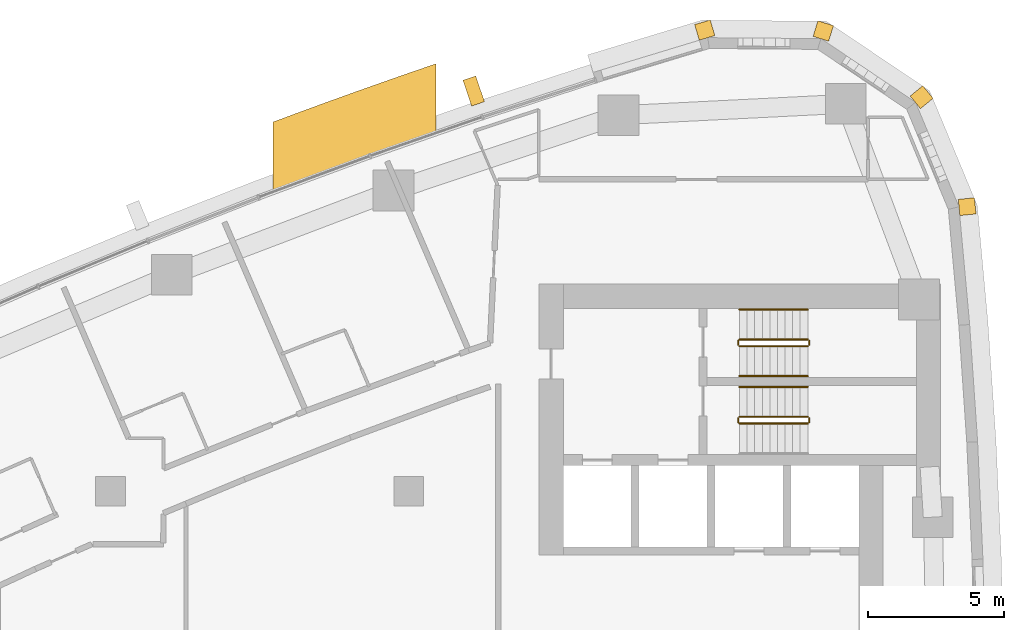
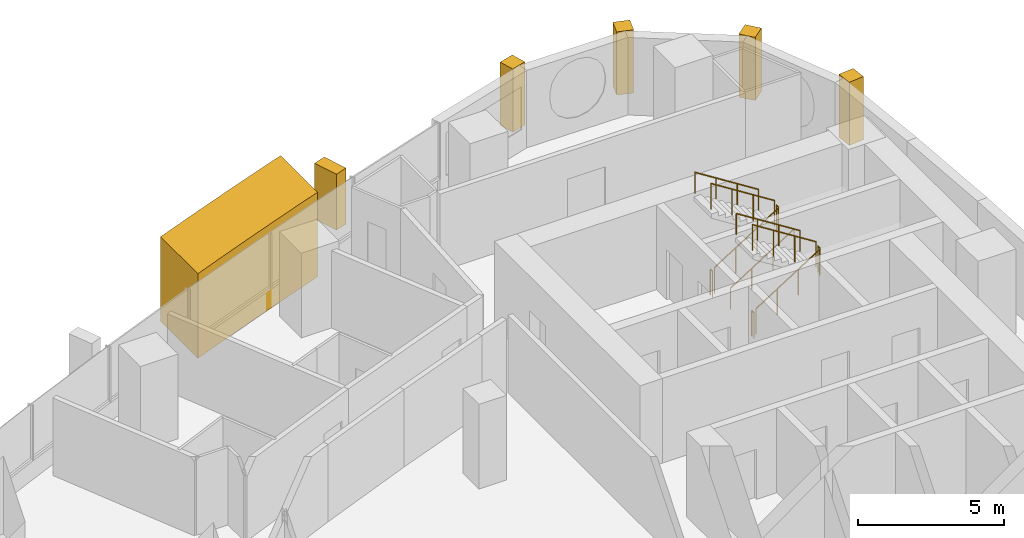
# One storey, part 17 of 17: 11 railings, 6 coverings.
"""IFC4 building model written with IfcOpenShell, lengths in metres."""

from ifc_helpers import new_model, si_unit, direction, frame, frame_2d, origin, origin_2d, place, context, subcontext, project, spatial, polyline, rectangle, circle, outline, extrude, material, layer, layer_set, type_object, element, save


model = new_model("IFC4")

# Units and contexts
model_context = context("Model", 3, precision=1e-05, world=origin(), true_north=direction((0.0, 1.0)))
body_context = subcontext(model_context, "Body", "Model", "MODEL_VIEW")
ifc_project = project(units=[si_unit("LENGTHUNIT", "METRE"), si_unit("AREAUNIT", "SQUARE_METRE"), si_unit("VOLUMEUNIT", "CUBIC_METRE"), si_unit("PLANEANGLEUNIT", "RADIAN"), si_unit("MASSUNIT", "GRAM", prefix="KILO")], contexts=[model_context])

# Site, building, storey
site_placement = place(None, origin())
site = spatial("IfcSite", under=ifc_project, at=site_placement, CompositionType="ELEMENT")
building_placement = place(site_placement, origin())
building = spatial("IfcBuilding", under=site, at=building_placement, Name="Ostrand Prow Hotel Tower", CompositionType="ELEMENT")
storey_placement = place(building_placement, frame((0.0, 0.0, 151.5)))
storey = spatial("IfcBuildingStorey", under=building, at=storey_placement, Name="L37", CompositionType="ELEMENT", Elevation=151.5)

# Coverings
ifc_material_1 = material(Name="Limestone cladding", Category="masonry")
ifc_layer_1 = layer(ifc_material_1, 5.0)
ifc_layer_set_1 = layer_set([ifc_layer_1], Name="Limestone cladding")
covering_type_1 = type_object("IfcCoveringType", Name="Portal jamb pilaster limestone", PredefinedType="CLADDING", material=ifc_layer_set_1)
covering_1_placement = place(storey_placement, origin())
element("IfcCovering", 1, at=covering_1_placement, inside=storey, type_object=covering_type_1, Name="Portal jamb NB L37", PredefinedType="CLADDING", context=body_context, shape_type="SweptSolid", body=[
    extrude(outline(polyline([(40.0, 20.058349609375), (41.0, 20.434326171875), (42.0, 20.804931640625), (43.0, 21.169921875), (44.0, 21.529296875), (45.0, 21.883056640625), (46.0, 22.231689453125), (46.0, 24.769287109375), (45.0, 24.425048828125), (44.0, 24.075439453125), (43.0, 23.720458984375), (42.0, 23.360107421875), (41.0, 22.994140625), (40.0, 22.622802734375), (40.0, 20.058349609375)])), origin(), (0.0, 0.0, 1.0), 3.550048828125),
])
ifc_material_2 = material(Name="Limestone cladding", Category="masonry")
ifc_layer_2 = layer(ifc_material_2, 0.5)
ifc_layer_set_2 = layer_set([ifc_layer_2], Name="Limestone cladding")
covering_type_2 = type_object("IfcCoveringType", Name="Precast stone fin 500x900", PredefinedType="CLADDING", material=ifc_layer_set_2)
covering_2_placement = place(storey_placement, frame((47.5546875, 23.290283203125, 0.89990234375), z_axis=(0.0, 0.0, 1.0), x_axis=(-0.319082696504, 0.947726876685, 0.0)))
element("IfcCovering", 2, at=covering_2_placement, inside=storey, type_object=covering_type_2, Name="Stone fin N 2", PredefinedType="CLADDING", context=body_context, shape_type="SweptSolid", body=[
    extrude(rectangle(XDim=1.0, YDim=0.5, at=frame_2d((0.5, 0.0))), origin(), (0.0, 0.0, 1.0), 2.35009765625),
])
ifc_material_3 = material(Name="Limestone cladding", Category="masonry")
ifc_layer_3 = layer(ifc_material_3, 0.60009765625)
ifc_layer_set_3 = layer_set([ifc_layer_3], Name="Limestone cladding")
covering_type_3 = type_object("IfcCoveringType", Name="Precast stone prow rib 600x600", PredefinedType="CLADDING", material=ifc_layer_set_3)
covering_3_placement = place(storey_placement, frame((65.296875, 19.467529296875, 0.60009765625), z_axis=(0.0, 0.0, 1.0), x_axis=(0.994854249607, 0.101316445052, 0.0)))
element("IfcCovering", 3, at=covering_3_placement, inside=storey, type_object=covering_type_3, Name="Stone corner rib 14a", PredefinedType="CLADDING", context=body_context, shape_type="SweptSolid", body=[
    extrude(rectangle(XDim=0.60009765625, YDim=0.60009765625, at=frame_2d((0.300048828125, 0.0))), origin(), (0.0, 0.0, 1.0), 2.64990234375),
])
for number, where, z_axis, x_axis, name in (
    (4, (63.68505859375, 23.34521484375, 0.60009765625), (0.0, 0.0, 1.0), (0.773830327772, 0.633392945825, 0.0), "Stone corner rib 15a"),
    (5, (60.201171875, 25.689697265625, 0.60009765625), (0.0, 0.0, 1.0), (0.295515682615, 0.955337888565, 0.0), "Stone corner rib 16a"),
):
    element("IfcCovering", number, at=place(storey_placement, frame(where, z_axis=z_axis, x_axis=x_axis)), inside=storey, type_object=covering_type_3, Name=name, PredefinedType="CLADDING", context=body_context, shape_type="SweptSolid", body=[
        extrude(rectangle(XDim=0.599853515625, YDim=0.60009765625, at=frame_2d((0.2998046875, 0.0))), origin(), (0.0, 0.0, 1.0), 2.64990234375),
    ])
covering_4_placement = place(storey_placement, frame((56.001953125, 25.722412109375, 0.60009765625), z_axis=(0.0, 0.0, 1.0), x_axis=(-0.280734221166, 0.959785547436, 0.0)))
element("IfcCovering", 6, at=covering_4_placement, inside=storey, type_object=covering_type_3, Name="Stone corner rib 16b", PredefinedType="CLADDING", context=body_context, shape_type="SweptSolid", body=[
    extrude(rectangle(XDim=0.60009765625, YDim=0.60009765625, at=frame_2d((0.300048828125, 0.0))), origin(), (0.0, 0.0, 1.0), 2.64990234375),
])

# Railings
ifc_material_4 = material(Name="Painted steel", Category="steel")
railing_type_1 = type_object("IfcRailingType", Name="Stair guard 1100", PredefinedType="GUARDRAIL", material=ifc_material_4)
railing_1_placement = place(storey_placement, frame((57.199951171875, 11.5, 0.177490234375)))
element("IfcRailing", 7, at=railing_1_placement, inside=storey, type_object=railing_type_1, Name="L37 ST1C stair guard 1", PredefinedType="GUARDRAIL", context=body_context, shape_type="SweptSolid", body=[
    extrude(circle(Radius=0.02392578125, at=origin_2d()), frame((0.0, 0.0, 1.076171875), z_axis=(0.84460694969, 0.0, 0.535386869969), x_axis=(0.0, 1.0, 0.0)), (0.0, 0.0, 1.0), 2.983642578125),
    extrude(circle(Radius=0.02099609375, at=origin_2d()), origin(), (0.0, 0.0, 1.0), 1.052001953125),
    extrude(circle(Radius=0.02099609375, at=origin_2d()), frame((0.840087890625, 0.0, 0.532470703125)), (0.0, 0.0, 1.0), 1.052001953125),
    extrude(circle(Radius=0.02099609375, at=origin_2d()), frame((1.679931640625, 0.0, 1.06494140625)), (0.0, 0.0, 1.0), 1.052001953125),
    extrude(circle(Radius=0.02099609375, at=origin_2d()), frame((2.52001953125, 0.0, 1.597412109375)), (0.0, 0.0, 1.0), 1.052001953125),
])
railing_2_placement = place(storey_placement, frame((59.77001953125, 11.550048828125, 1.77490234375)))
element("IfcRailing", 8, at=railing_2_placement, inside=storey, type_object=railing_type_1, Name="L37 ST1C stair guard 2", PredefinedType="GUARDRAIL", context=body_context, shape_type="SweptSolid", body=[
    extrude(circle(Radius=0.02392578125, at=origin_2d()), frame((0.0, 0.0, 1.076171875), z_axis=(0.0, 1.0, 0.0), x_axis=(-1.0, 0.0, 0.0)), (0.0, 0.0, 1.0), 0.14990234375),
    extrude(circle(Radius=0.02099609375, at=origin_2d()), origin(), (0.0, 0.0, 1.0), 1.052001953125),
    extrude(circle(Radius=0.02099609375, at=origin_2d()), frame((0.0, 0.14990234375, 0.0)), (0.0, 0.0, 1.0), 1.052001953125),
])
railing_3_placement = place(storey_placement, frame((59.719970703125, 11.75, 1.952392578125)))
element("IfcRailing", 9, at=railing_3_placement, inside=storey, type_object=railing_type_1, Name="L37 ST1C stair guard 3", PredefinedType="GUARDRAIL", context=body_context, shape_type="SweptSolid", body=[
    extrude(circle(Radius=0.02392578125, at=origin_2d()), frame((0.0, 0.0, 1.076171875), z_axis=(-0.84456994832, 0.0, 0.535445237532), x_axis=(0.0, -1.0, 0.0)), (0.0, 0.0, 1.0), 2.98388671875),
    extrude(circle(Radius=0.02099609375, at=origin_2d()), origin(), (0.0, 0.0, 1.0), 1.052001953125),
    extrude(circle(Radius=0.02099609375, at=origin_2d()), frame((-0.840087890625, 0.0, 0.532470703125)), (0.0, 0.0, 1.0), 1.052001953125),
    extrude(circle(Radius=0.02099609375, at=origin_2d()), frame((-1.679931640625, 0.0, 1.065185546875)), (0.0, 0.0, 1.0), 1.052001953125),
    extrude(circle(Radius=0.02099609375, at=origin_2d()), frame((-2.52001953125, 0.0, 1.59765625)), (0.0, 0.0, 1.0), 1.052001953125),
])
railing_4_placement = place(storey_placement, frame((57.14990234375, 11.550048828125, 0.0)))
element("IfcRailing", 10, at=railing_4_placement, inside=storey, type_object=railing_type_1, Name="L37 ST1C stair guard 4", PredefinedType="GUARDRAIL", context=body_context, shape_type="SweptSolid", body=[
    extrude(circle(Radius=0.02392578125, at=origin_2d()), frame((0.0, 0.0, 1.076171875), z_axis=(0.0, 1.0, 0.0), x_axis=(-1.0, 0.0, 0.0)), (0.0, 0.0, 1.0), 0.14990234375),
    extrude(circle(Radius=0.02099609375, at=origin_2d()), origin(), (0.0, 0.0, 1.0), 1.052001953125),
    extrude(circle(Radius=0.02099609375, at=origin_2d()), frame((0.0, 0.14990234375, 0.0)), (0.0, 0.0, 1.0), 1.052001953125),
])
railing_5_placement = place(storey_placement, frame((57.199951171875, 14.35009765625, 0.177490234375)))
element("IfcRailing", 11, at=railing_5_placement, inside=storey, type_object=railing_type_1, Name="L37 ST3C stair guard 1", PredefinedType="GUARDRAIL", context=body_context, shape_type="SweptSolid", body=[
    extrude(circle(Radius=0.02392578125, at=origin_2d()), frame((0.0, 0.0, 1.076171875), z_axis=(0.84460694969, 0.0, 0.535386869969), x_axis=(0.0, 1.0, 0.0)), (0.0, 0.0, 1.0), 2.983642578125),
    extrude(circle(Radius=0.02099609375, at=origin_2d()), origin(), (0.0, 0.0, 1.0), 1.052001953125),
    extrude(circle(Radius=0.02099609375, at=origin_2d()), frame((0.840087890625, 0.0, 0.532470703125)), (0.0, 0.0, 1.0), 1.052001953125),
    extrude(circle(Radius=0.02099609375, at=origin_2d()), frame((1.679931640625, 0.0, 1.06494140625)), (0.0, 0.0, 1.0), 1.052001953125),
    extrude(circle(Radius=0.02099609375, at=origin_2d()), frame((2.52001953125, 0.0, 1.597412109375)), (0.0, 0.0, 1.0), 1.052001953125),
])
railing_6_placement = place(storey_placement, frame((59.77001953125, 14.39990234375, 1.77490234375)))
element("IfcRailing", 12, at=railing_6_placement, inside=storey, type_object=railing_type_1, Name="L37 ST3C stair guard 2", PredefinedType="GUARDRAIL", context=body_context, shape_type="SweptSolid", body=[
    extrude(circle(Radius=0.02392578125, at=origin_2d()), frame((0.0, 0.0, 1.076171875), z_axis=(0.0, 1.0, 0.0), x_axis=(-1.0, 0.0, 0.0)), (0.0, 0.0, 1.0), 0.150146484375),
    extrude(circle(Radius=0.02099609375, at=origin_2d()), origin(), (0.0, 0.0, 1.0), 1.052001953125),
    extrude(circle(Radius=0.02099609375, at=origin_2d()), frame((0.0, 0.150146484375, 0.0)), (0.0, 0.0, 1.0), 1.052001953125),
])
railing_7_placement = place(storey_placement, frame((59.719970703125, 14.60009765625, 1.952392578125)))
element("IfcRailing", 13, at=railing_7_placement, inside=storey, type_object=railing_type_1, Name="L37 ST3C stair guard 3", PredefinedType="GUARDRAIL", context=body_context, shape_type="SweptSolid", body=[
    extrude(circle(Radius=0.02392578125, at=origin_2d()), frame((0.0, 0.0, 1.076171875), z_axis=(-0.84456994832, 0.0, 0.535445237532), x_axis=(0.0, -1.0, 0.0)), (0.0, 0.0, 1.0), 2.98388671875),
    extrude(circle(Radius=0.02099609375, at=origin_2d()), origin(), (0.0, 0.0, 1.0), 1.052001953125),
    extrude(circle(Radius=0.02099609375, at=origin_2d()), frame((-0.840087890625, 0.0, 0.532470703125)), (0.0, 0.0, 1.0), 1.052001953125),
    extrude(circle(Radius=0.02099609375, at=origin_2d()), frame((-1.679931640625, 0.0, 1.065185546875)), (0.0, 0.0, 1.0), 1.052001953125),
    extrude(circle(Radius=0.02099609375, at=origin_2d()), frame((-2.52001953125, 0.0, 1.59765625)), (0.0, 0.0, 1.0), 1.052001953125),
])
railing_8_placement = place(storey_placement, frame((57.14990234375, 14.39990234375, 0.0)))
element("IfcRailing", 14, at=railing_8_placement, inside=storey, type_object=railing_type_1, Name="L37 ST3C stair guard 4", PredefinedType="GUARDRAIL", context=body_context, shape_type="SweptSolid", body=[
    extrude(circle(Radius=0.02392578125, at=origin_2d()), frame((0.0, 0.0, 1.076171875), z_axis=(0.0, 1.0, 0.0), x_axis=(-1.0, 0.0, 0.0)), (0.0, 0.0, 1.0), 0.150146484375),
    extrude(circle(Radius=0.02099609375, at=origin_2d()), origin(), (0.0, 0.0, 1.0), 1.052001953125),
    extrude(circle(Radius=0.02099609375, at=origin_2d()), frame((0.0, 0.150146484375, 0.0)), (0.0, 0.0, 1.0), 1.052001953125),
])
ifc_material_5 = material(Name="Stainless steel", Category="steel")
railing_type_2 = type_object("IfcRailingType", Name="Stair handrail 900", PredefinedType="HANDRAIL", material=ifc_material_5)
railing_9_placement = place(storey_placement, frame((59.719970703125, 12.85009765625, 1.952392578125)))
element("IfcRailing", 15, at=railing_9_placement, inside=storey, type_object=railing_type_2, Name="L37 ST1C stair handrail 2", PredefinedType="HANDRAIL", context=body_context, shape_type="SweptSolid", body=[
    extrude(circle(Radius=0.02392578125, at=origin_2d()), frame((0.0, 0.0, 0.8759765625), z_axis=(-0.84456994832, 0.0, 0.535445237532), x_axis=(0.0, -1.0, 0.0)), (0.0, 0.0, 1.0), 2.98388671875),
    extrude(circle(Radius=0.02099609375, at=origin_2d()), origin(), (0.0, 0.0, 1.0), 0.851806640625),
    extrude(circle(Radius=0.02099609375, at=origin_2d()), frame((-0.840087890625, 0.0, 0.532470703125)), (0.0, 0.0, 1.0), 0.851806640625),
    extrude(circle(Radius=0.02099609375, at=origin_2d()), frame((-1.679931640625, 0.0, 1.065185546875)), (0.0, 0.0, 1.0), 0.851806640625),
    extrude(circle(Radius=0.02099609375, at=origin_2d()), frame((-2.52001953125, 0.0, 1.59765625)), (0.0, 0.0, 1.0), 0.851806640625),
])
railing_10_placement = place(storey_placement, frame((57.199951171875, 13.25, 0.177490234375)))
element("IfcRailing", 16, at=railing_10_placement, inside=storey, type_object=railing_type_2, Name="L37 ST3C stair handrail 1", PredefinedType="HANDRAIL", context=body_context, shape_type="SweptSolid", body=[
    extrude(circle(Radius=0.02392578125, at=origin_2d()), frame((0.0, 0.0, 0.8759765625), z_axis=(0.84460694969, 0.0, 0.535386869969), x_axis=(0.0, 1.0, 0.0)), (0.0, 0.0, 1.0), 2.983642578125),
    extrude(circle(Radius=0.02099609375, at=origin_2d()), origin(), (0.0, 0.0, 1.0), 0.851806640625),
    extrude(circle(Radius=0.02099609375, at=origin_2d()), frame((0.840087890625, 0.0, 0.532470703125)), (0.0, 0.0, 1.0), 0.851806640625),
    extrude(circle(Radius=0.02099609375, at=origin_2d()), frame((1.679931640625, 0.0, 1.06494140625)), (0.0, 0.0, 1.0), 0.851806640625),
    extrude(circle(Radius=0.02099609375, at=origin_2d()), frame((2.52001953125, 0.0, 1.597412109375)), (0.0, 0.0, 1.0), 0.851806640625),
])
railing_11_placement = place(storey_placement, frame((59.719970703125, 15.699951171875, 1.952392578125)))
element("IfcRailing", 17, at=railing_11_placement, inside=storey, type_object=railing_type_2, Name="L37 ST3C stair handrail 2", PredefinedType="HANDRAIL", context=body_context, shape_type="SweptSolid", body=[
    extrude(circle(Radius=0.02392578125, at=origin_2d()), frame((0.0, 0.0, 0.8759765625), z_axis=(-0.84456994832, 0.0, 0.535445237532), x_axis=(0.0, -1.0, 0.0)), (0.0, 0.0, 1.0), 2.98388671875),
    extrude(circle(Radius=0.02099609375, at=origin_2d()), origin(), (0.0, 0.0, 1.0), 0.851806640625),
    extrude(circle(Radius=0.02099609375, at=origin_2d()), frame((-0.840087890625, 0.0, 0.532470703125)), (0.0, 0.0, 1.0), 0.851806640625),
    extrude(circle(Radius=0.02099609375, at=origin_2d()), frame((-1.679931640625, 0.0, 1.065185546875)), (0.0, 0.0, 1.0), 0.851806640625),
    extrude(circle(Radius=0.02099609375, at=origin_2d()), frame((-2.52001953125, 0.0, 1.59765625)), (0.0, 0.0, 1.0), 0.851806640625),
])

save(model, "model.ifc")
